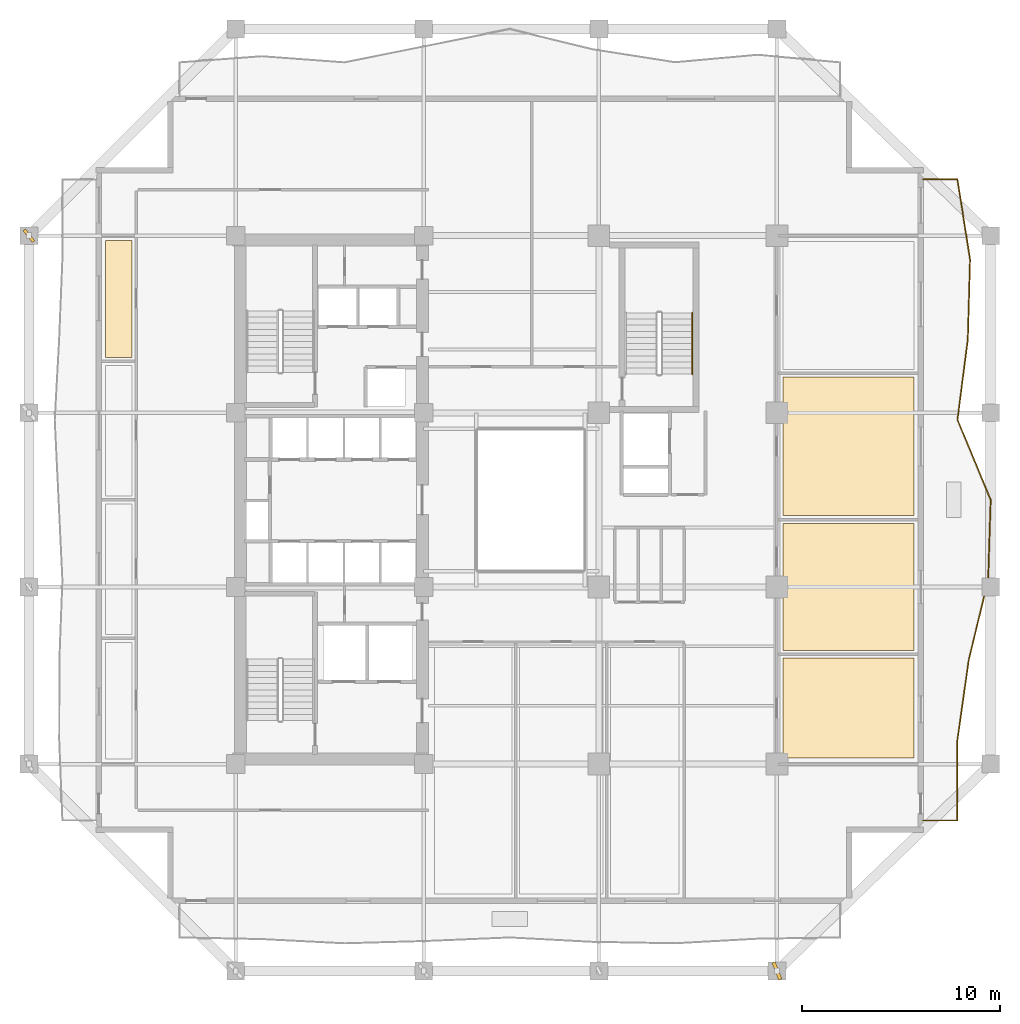
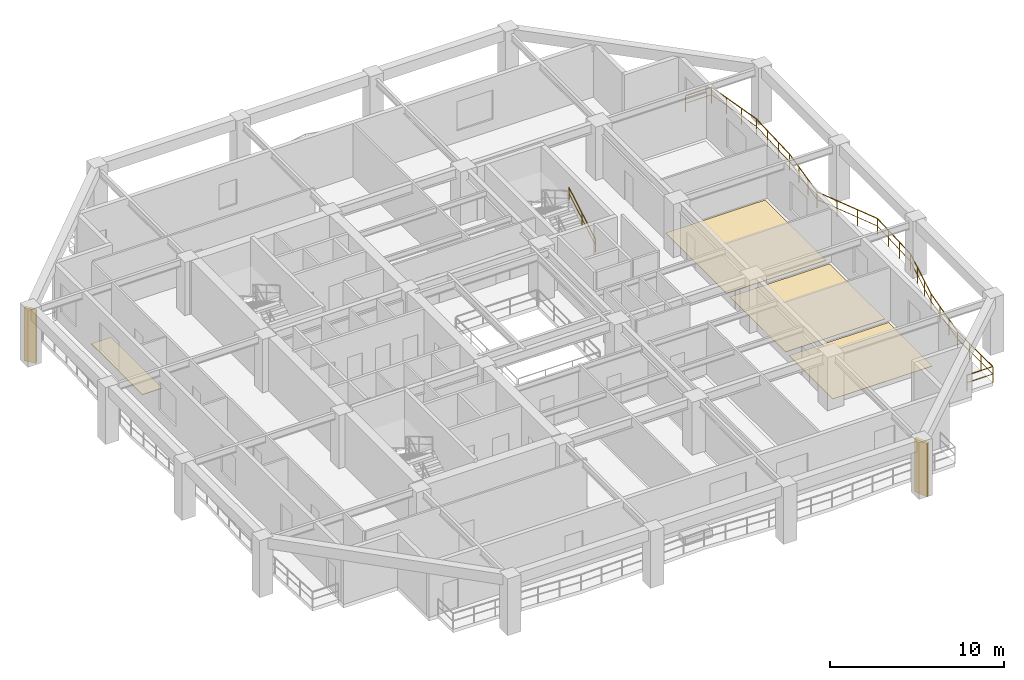
# One storey, part 9 of 11: 4 coverings, 2 railings, 2 shading devices.
"""IFC4 building model written with IfcOpenShell, lengths in metres."""

import ifcopenshell
import ifcopenshell.guid

model = None  # the IFC model being written
_history = None  # IfcOwnerHistory: only IFC2X3 demands one
_inside = {}  # id of a spatial element -> (the spatial element, [elements in it])
_under = {}  # id of a project, library or spatial element -> (it, [spatial elements below it])
_declared = {}  # id of a project -> (the project, [libraries it declares])
_typed = {}  # id of a type object -> (the type object, [elements of that type])
_made_of = {}  # id of a material, layer set ... -> (it, [elements and type objects made of it])


def new_model(schema):
    """Start an empty IFC model of exactly this schema.

    Asked for "IFC4X3", IfcOpenShell would pick the latest addendum, in which some entities
    have other attributes; the version numbers below select the first issue.
    IFC2X3 requires an IfcOwnerHistory on every rooted entity: one is made here for all.
    """
    global model, _history
    if schema == "IFC4X3":
        model = ifcopenshell.file(schema_version=(4, 3, 0, 0))
    else:
        model = ifcopenshell.file(schema=schema)
    _inside.clear()
    _under.clear()
    _declared.clear()
    _typed.clear()
    _made_of.clear()
    _history = None
    if model.schema == "IFC2X3":
        org = make("IfcOrganization", Name="unknown")
        user = make(
            "IfcPersonAndOrganization",
            ThePerson=make("IfcPerson", FamilyName="unknown"),
            TheOrganization=org,
        )
        app = make(
            "IfcApplication",
            ApplicationDeveloper=org,
            Version="unknown",
            ApplicationFullName="unknown",
            ApplicationIdentifier="unknown",
        )
        _history = make(
            "IfcOwnerHistory",
            OwningUser=user,
            OwningApplication=app,
            ChangeAction="ADDED",
            CreationDate=0,
        )
    return model


def make(cls, **values):
    """One entity of the class cls with the attributes given. An attribute that is None is left unset."""
    return model.create_entity(
        cls, **{name: value for name, value in values.items() if value is not None}
    )


def rooted(cls, **values):
    """An entity with a GlobalId (a new one), such as an element, a storey or a relation."""
    return make(cls, GlobalId=ifcopenshell.guid.new(), OwnerHistory=_history, **values)


def si_unit(unit_type, name, prefix=None):
    """IfcSIUnit, for example si_unit("LENGTHUNIT", "METRE", prefix="MILLI")."""
    return make("IfcSIUnit", UnitType=unit_type, Prefix=prefix, Name=name)


def assignment(units):
    """IfcUnitAssignment: the units of a project."""
    return None if units is None else make("IfcUnitAssignment", Units=units)


def point(xyz):
    """IfcCartesianPoint."""
    return None if xyz is None else make("IfcCartesianPoint", Coordinates=xyz)


def direction(xyz):
    """IfcDirection."""
    return None if xyz is None else make("IfcDirection", DirectionRatios=xyz)


def frame(location, z_axis=None, x_axis=None):
    """IfcAxis2Placement3D, a coordinate frame: its origin and axes. An axis left out is left unset."""
    return make(
        "IfcAxis2Placement3D",
        Location=point(location),
        Axis=direction(z_axis),
        RefDirection=direction(x_axis),
    )


def frame_2d(location, x_axis=None):
    """IfcAxis2Placement2D, a coordinate frame in the plane: its origin and x axis."""
    return make(
        "IfcAxis2Placement2D", Location=point(location), RefDirection=direction(x_axis)
    )


def origin():
    """The frame at (0, 0, 0) with its axes left unset."""
    return frame((0.0, 0.0, 0.0))


def origin_2d():
    """The frame at (0, 0) in the plane with its x axis left unset."""
    return frame_2d((0.0, 0.0))


def place(relative_to, where):
    """IfcLocalPlacement: puts the frame where relative to a parent placement (None: the world)."""
    return make(
        "IfcLocalPlacement", PlacementRelTo=relative_to, RelativePlacement=where
    )


def context(
    kind, dimensions, precision=None, world=None, true_north=None, identifier=None
):
    """IfcGeometricRepresentationContext, for example the 3D "Model" context."""
    return make(
        "IfcGeometricRepresentationContext",
        ContextIdentifier=identifier,
        ContextType=kind,
        CoordinateSpaceDimension=dimensions,
        Precision=precision,
        WorldCoordinateSystem=world,
        TrueNorth=true_north,
    )


def subcontext(parent, identifier, kind, view, scale=None):
    """IfcGeometricRepresentationSubContext, for example "Body" below "Model"."""
    return make(
        "IfcGeometricRepresentationSubContext",
        ContextIdentifier=identifier,
        ContextType=kind,
        ParentContext=parent,
        TargetScale=scale,
        TargetView=view,
    )


def project(units=None, contexts=None):
    """IfcProject with its units and contexts."""
    return rooted(
        "IfcProject",
        Name="project",
        RepresentationContexts=contexts,
        UnitsInContext=assignment(units),
    )


def spatial(cls, under=None, at=None, **own):
    """A site, building, storey or space (cls), placed at a placement, below another one or the project."""
    s = rooted(cls, ObjectPlacement=at, **own)
    if under is not None:
        _under.setdefault(under.id(), (under, []))[1].append(s)
    return s


def polyline(points):
    """IfcPolyline through the points."""
    return make("IfcPolyline", Points=[point(p) for p in points])


def profile(cls, at=None, kind="AREA", **sizes):
    """A parametric profile (cls). Its sizes go by their IFC names, for example OverallWidth=200.0."""
    return make(cls, ProfileType=kind, Position=at, **sizes)


def rectangle(**sizes):
    """IfcRectangleProfileDef."""
    return profile("IfcRectangleProfileDef", **sizes)


def outline(outer, holes=None, kind="AREA"):
    """IfcArbitraryClosedProfileDef: a profile drawn as a closed curve; with holes, ...WithVoids."""
    if holes is None:
        return make("IfcArbitraryClosedProfileDef", ProfileType=kind, OuterCurve=outer)
    return make(
        "IfcArbitraryProfileDefWithVoids",
        ProfileType=kind,
        OuterCurve=outer,
        InnerCurves=holes,
    )


def extrude(swept, where, along, depth):
    """IfcExtrudedAreaSolid: the profile swept, set in the frame where, extruded along a direction by depth."""
    return make(
        "IfcExtrudedAreaSolid",
        SweptArea=swept,
        Position=where,
        ExtrudedDirection=direction(along),
        Depth=depth,
    )


def shape(context_of_items, identifier, shape_type, items):
    """IfcShapeRepresentation: the items that make up one representation, for example the "Body"."""
    return make(
        "IfcShapeRepresentation",
        ContextOfItems=context_of_items,
        RepresentationIdentifier=identifier,
        RepresentationType=shape_type,
        Items=items,
    )


def material(Name=None, Category=None):
    """IfcMaterial."""
    return make("IfcMaterial", Name=Name, Category=Category)


def layer(
    of_material, thickness, ventilated=None, Name=None, Category=None, Priority=None
):
    """IfcMaterialLayer: one layer of a wall or slab, of a material (None: an air gap)."""
    return make(
        "IfcMaterialLayer",
        Material=of_material,
        LayerThickness=thickness,
        IsVentilated=ventilated,
        Name=Name,
        Category=Category,
        Priority=Priority,
    )


def layer_set(layers, Name=None):
    """IfcMaterialLayerSet."""
    return make("IfcMaterialLayerSet", MaterialLayers=layers, LayerSetName=Name)


def made_of(thing, what):
    """Note that an element or type object is made of a material, layer set ...; save() writes the relation."""
    if what is not None:
        _made_of.setdefault(what.id(), (what, []))[1].append(thing)
    return thing


def type_object(cls, material=None, **own):
    """A type object (cls), such as IfcWallType, which elements share."""
    return made_of(rooted(cls, **own), material)


def element(
    cls,
    number,
    at=None,
    inside=None,
    cuts=None,
    type_object=None,
    material=None,
    context=None,
    identifier="Body",
    shape_type=None,
    held_by="IfcProductDefinitionShape",
    body=None,
    shapes=None,
    **own,
):
    """One element of the class cls, such as IfcWall. Its Tag is "e" and its number.

    at: its placement. inside: the storey or other place that contains it. cuts: it is an
    opening in that element (IfcRelVoidsElement). A single representation is given by context,
    identifier, shape_type and body (its items); several are given by shapes. held_by: the class
    of the entity that holds the representations. save() writes the other relations.
    """
    e = rooted(cls, Tag="e%d" % number, ObjectPlacement=at, **own)
    if body is not None:
        shapes = [shape(context, identifier, shape_type, body)]
    if shapes is not None:
        e.Representation = make(held_by, Representations=shapes)
    if inside is not None:
        _inside.setdefault(inside.id(), (inside, []))[1].append(e)
    if cuts is not None:
        rooted(
            "IfcRelVoidsElement", RelatingBuildingElement=cuts, RelatedOpeningElement=e
        )
    if type_object is not None:
        _typed.setdefault(type_object.id(), (type_object, []))[1].append(e)
    return made_of(e, material)


def aggregate(whole, parts):
    """IfcRelAggregates: a whole, such as a stair, and the parts it consists of."""
    return rooted("IfcRelAggregates", RelatingObject=whole, RelatedObjects=parts)


def save(model, path):
    """Write the relations noted so far, then the file.

    IfcRelAggregates (storeys below a building ...), IfcRelContainedInSpatialStructure (elements
    in a storey), IfcRelDefinesByType, IfcRelAssociatesMaterial and IfcRelDeclares: one each for
    every whole, place, type object, material and project.
    """
    for whole, parts in _under.values():
        aggregate(whole, parts)
    for where, things in _inside.values():
        rooted(
            "IfcRelContainedInSpatialStructure",
            RelatedElements=things,
            RelatingStructure=where,
        )
    for kind, things in _typed.values():
        rooted("IfcRelDefinesByType", RelatedObjects=things, RelatingType=kind)
    for what, things in _made_of.values():
        rooted("IfcRelAssociatesMaterial", RelatedObjects=things, RelatingMaterial=what)
    for by, libraries in _declared.values():
        rooted("IfcRelDeclares", RelatingContext=by, RelatedDefinitions=libraries)
    model.write(path)


model = new_model("IFC4")

# Units and contexts
model_context = context("Model", 3, precision=1e-05, world=origin(), true_north=direction((0.0, 1.0)))
body_context = subcontext(model_context, "Body", "Model", "MODEL_VIEW")
ifc_project = project(units=[si_unit("LENGTHUNIT", "METRE"), si_unit("AREAUNIT", "SQUARE_METRE"), si_unit("VOLUMEUNIT", "CUBIC_METRE"), si_unit("PLANEANGLEUNIT", "RADIAN"), si_unit("MASSUNIT", "GRAM", prefix="KILO")], contexts=[model_context])

# Site, building, storey
site_placement = place(None, origin())
site = spatial("IfcSite", under=ifc_project, at=site_placement, CompositionType="ELEMENT")
building_placement = place(site_placement, origin())
building = spatial("IfcBuilding", under=site, at=building_placement, Name="Kundavana Baori Tower", CompositionType="ELEMENT")
storey_placement = place(building_placement, frame((0.0, 0.0, 86.0)))
storey = spatial("IfcBuildingStorey", under=building, at=storey_placement, Name="L20", CompositionType="ELEMENT", Elevation=86.0)

# Coverings
ifc_material_1 = material(Name="Honed Kota Stone and Terrazzo Flooring", Category="masonry")
ifc_layer_1 = layer(ifc_material_1, 0.0400390625, Name="COV-FLR-TERR-40")
ifc_layer_set_1 = layer_set([ifc_layer_1], Name="Honed Kota Stone and Terrazzo Flooring")
covering_type_1 = type_object("IfcCoveringType", Name="COV-FLR-TERR-40", PredefinedType="FLOORING", material=ifc_layer_set_1)
covering_1_placement = place(storey_placement, origin())
element("IfcCovering", 1, at=covering_1_placement, inside=storey, type_object=covering_type_1, Name="L20 Room Finished Stone Flooring 4", PredefinedType="FLOORING", context=body_context, shape_type="SweptSolid", body=[
    extrude(outline(polyline([(8.8798828125, 35.800048828125), (10.199951171875, 35.800048828125), (10.199951171875, 41.699951171875), (8.8798828125, 41.699951171875), (8.8798828125, 35.800048828125)])), origin(), (0.0, 0.0, 1.0), 0.0400390625),
])
ifc_material_2 = material(Name="Honed Kota Stone and Terrazzo Flooring", Category="masonry")
ifc_layer_2 = layer(ifc_material_2, 0.030029296875, Name="COV-INT-FLR")
ifc_layer_set_2 = layer_set([ifc_layer_2], Name="Honed Kota Stone and Terrazzo Flooring")
covering_type_2 = type_object("IfcCoveringType", Name="COV-INT-FLR", PredefinedType="FLOORING", material=ifc_layer_set_2)
covering_2_placement = place(storey_placement, origin())
element("IfcCovering", 2, at=covering_2_placement, inside=storey, type_object=covering_type_2, Name="L20 Room Finished Stone Flooring 8", PredefinedType="FLOORING", context=body_context, shape_type="SweptSolid", body=[
    extrude(outline(polyline([(43.10009765625, 15.550048828125), (49.719970703125, 15.550048828125), (49.719970703125, 20.60009765625), (43.10009765625, 20.60009765625), (43.10009765625, 15.550048828125)])), origin(), (0.0, 0.0, 1.0), 0.030029296875),
])
covering_3_placement = place(storey_placement, origin())
element("IfcCovering", 3, at=covering_3_placement, inside=storey, type_object=covering_type_2, Name="L20 Room Finished Stone Flooring 9", PredefinedType="FLOORING", context=body_context, shape_type="SweptSolid", body=[
    extrude(outline(polyline([(43.10009765625, 21.0), (49.719970703125, 21.0), (49.719970703125, 27.39990234375), (43.10009765625, 27.39990234375), (43.10009765625, 21.0)])), origin(), (0.0, 0.0, 1.0), 0.030029296875),
])
covering_4_placement = place(storey_placement, origin())
element("IfcCovering", 4, at=covering_4_placement, inside=storey, type_object=covering_type_2, Name="L20 Room Finished Stone Flooring 10", PredefinedType="FLOORING", context=body_context, shape_type="SweptSolid", body=[
    extrude(outline(polyline([(43.10009765625, 27.800048828125), (49.719970703125, 27.800048828125), (49.719970703125, 34.800048828125), (43.10009765625, 34.800048828125), (43.10009765625, 27.800048828125)])), origin(), (0.0, 0.0, 1.0), 0.030029296875),
])

# Railings
ifc_material_3 = material(Name="Architectural Patinated Bronze Metalwork")
railing_type_1 = type_object("IfcRailingType", Name="RL-BAL-1150", PredefinedType="BALUSTRADE", material=ifc_material_3)
railing_1_placement = place(storey_placement, frame((50.199951171875, 44.800048828125, 0.0)))
element("IfcRailing", 5, at=railing_1_placement, inside=storey, type_object=railing_type_1, Name="L20 Loggia Balcony Balustrade E", PredefinedType="BALUSTRADE", context=body_context, shape_type="SweptSolid", body=[
    extrude(rectangle(XDim=0.048095703125, YDim=0.048095703125, at=origin_2d()), frame((0.0, 0.0, 1.1259765625), z_axis=(1.0, 0.0, 0.0), x_axis=(0.0, 1.0, 0.0)), (0.0, 0.0, 1.0), 1.719970703125),
    extrude(rectangle(XDim=0.03125, YDim=0.03125, at=origin_2d()), frame((0.0, 0.0, 0.597900390625), z_axis=(1.0, 0.0, 0.0), x_axis=(0.0, 1.0, 0.0)), (0.0, 0.0, 1.0), 1.719970703125),
    extrude(rectangle(XDim=0.048095703125, YDim=0.048095703125, at=origin_2d()), frame((1.719970703125, 0.0, 1.1259765625), z_axis=(0.156118506583, -0.987738331696, 0.0), x_axis=(0.987738331696, 0.156118506583, 0.0)), (0.0, 0.0, 1.0), 4.100341796875),
    extrude(rectangle(XDim=0.03125, YDim=0.03125, at=origin_2d()), frame((1.719970703125, 0.0, 0.597900390625), z_axis=(0.156118506583, -0.987738331696, 0.0), x_axis=(0.987738331696, 0.156118506583, 0.0)), (0.0, 0.0, 1.0), 4.100341796875),
    extrude(rectangle(XDim=0.048095703125, YDim=0.048095703125, at=origin_2d()), frame((2.360107421875, -4.050048828125, 1.1259765625), z_axis=(-0.028140036391, -0.999603990764, 0.0), x_axis=(0.999603990764, -0.028140036391, 0.0)), (0.0, 0.0, 1.0), 4.0517578125),
    extrude(rectangle(XDim=0.03125, YDim=0.03125, at=origin_2d()), frame((2.360107421875, -4.050048828125, 0.597900390625), z_axis=(-0.028140036391, -0.999603990764, 0.0), x_axis=(0.999603990764, -0.028140036391, 0.0)), (0.0, 0.0, 1.0), 4.0517578125),
    extrude(rectangle(XDim=0.048095703125, YDim=0.048095703125, at=origin_2d()), frame((2.24609375, -8.10009765625, 1.1259765625), z_axis=(-0.127823369402, -0.991796948087, 0.0), x_axis=(0.991796948087, -0.127823369402, 0.0)), (0.0, 0.0, 1.0), 4.08349609375),
    extrude(rectangle(XDim=0.03125, YDim=0.03125, at=origin_2d()), frame((2.24609375, -8.10009765625, 0.597900390625), z_axis=(-0.127823369402, -0.991796948087, 0.0), x_axis=(0.991796948087, -0.127823369402, 0.0)), (0.0, 0.0, 1.0), 4.08349609375),
    extrude(rectangle(XDim=0.048095703125, YDim=0.048095703125, at=origin_2d()), frame((1.72412109375, -12.150146484375, 1.1259765625), z_axis=(0.38239935162, -0.923997151446, 0.0), x_axis=(0.923997151446, 0.38239935162, 0.0)), (0.0, 0.0, 1.0), 4.3828125),
    extrude(rectangle(XDim=0.03125, YDim=0.03125, at=origin_2d()), frame((1.72412109375, -12.150146484375, 0.597900390625), z_axis=(0.38239935162, -0.923997151446, 0.0), x_axis=(0.923997151446, 0.38239935162, 0.0)), (0.0, 0.0, 1.0), 4.3828125),
    extrude(rectangle(XDim=0.048095703125, YDim=0.048095703125, at=origin_2d()), frame((3.400146484375, -16.199951171875, 1.1259765625), z_axis=(-0.031872399749, -0.999491946008, 0.0), x_axis=(0.999491946008, -0.031872399749, 0.0)), (0.0, 0.0, 1.0), 4.052001953125),
    extrude(rectangle(XDim=0.03125, YDim=0.03125, at=origin_2d()), frame((3.400146484375, -16.199951171875, 0.597900390625), z_axis=(-0.031872399749, -0.999491946008, 0.0), x_axis=(0.999491946008, -0.031872399749, 0.0)), (0.0, 0.0, 1.0), 4.052001953125),
    extrude(rectangle(XDim=0.048095703125, YDim=0.048095703125, at=origin_2d()), frame((3.27099609375, -20.25, 1.1259765625), z_axis=(-0.235180776848, -0.97195164602, 0.0), x_axis=(0.97195164602, -0.235180776848, 0.0)), (0.0, 0.0, 1.0), 4.1669921875),
    extrude(rectangle(XDim=0.03125, YDim=0.03125, at=origin_2d()), frame((3.27099609375, -20.25, 0.597900390625), z_axis=(-0.235180776848, -0.97195164602, 0.0), x_axis=(0.97195164602, -0.235180776848, 0.0)), (0.0, 0.0, 1.0), 4.1669921875),
    extrude(rectangle(XDim=0.048095703125, YDim=0.048095703125, at=origin_2d()), frame((2.291015625, -24.300048828125, 1.1259765625), z_axis=(-0.139616080416, -0.990205710996, 0.0), x_axis=(0.990205710996, -0.139616080416, 0.0)), (0.0, 0.0, 1.0), 4.090087890625),
    extrude(rectangle(XDim=0.03125, YDim=0.03125, at=origin_2d()), frame((2.291015625, -24.300048828125, 0.597900390625), z_axis=(-0.139616080416, -0.990205710996, 0.0), x_axis=(0.990205710996, -0.139616080416, 0.0)), (0.0, 0.0, 1.0), 4.090087890625),
    extrude(rectangle(XDim=0.048095703125, YDim=0.048095703125, at=origin_2d()), frame((1.719970703125, -28.35009765625, 1.1259765625), z_axis=(0.0, -1.0, 0.0), x_axis=(1.0, 0.0, 0.0)), (0.0, 0.0, 1.0), 4.050048828125),
    extrude(rectangle(XDim=0.03125, YDim=0.03125, at=origin_2d()), frame((1.719970703125, -28.35009765625, 0.597900390625), z_axis=(0.0, -1.0, 0.0), x_axis=(1.0, 0.0, 0.0)), (0.0, 0.0, 1.0), 4.050048828125),
    extrude(rectangle(XDim=0.048095703125, YDim=0.048095703125, at=origin_2d()), frame((1.719970703125, -32.400146484375, 1.1259765625), z_axis=(-1.0, 0.0, 0.0), x_axis=(0.0, -1.0, 0.0)), (0.0, 0.0, 1.0), 1.719970703125),
    extrude(rectangle(XDim=0.03125, YDim=0.03125, at=origin_2d()), frame((1.719970703125, -32.400146484375, 0.597900390625), z_axis=(-1.0, 0.0, 0.0), x_axis=(0.0, -1.0, 0.0)), (0.0, 0.0, 1.0), 1.719970703125),
    extrude(rectangle(XDim=0.0419921875, YDim=0.0419921875, at=origin_2d()), origin(), (0.0, 0.0, 1.0), 1.101806640625),
    extrude(rectangle(XDim=0.0419921875, YDim=0.0419921875, at=origin_2d()), frame((1.719970703125, 0.0, 0.0)), (0.0, 0.0, 1.0), 1.101806640625),
    extrude(rectangle(XDim=0.0419921875, YDim=0.0419921875, at=origin_2d()), frame((1.933349609375, -1.35009765625, 0.0)), (0.0, 0.0, 1.0), 1.101806640625),
    extrude(rectangle(XDim=0.0419921875, YDim=0.0419921875, at=origin_2d()), frame((2.146728515625, -2.699951171875, 0.0)), (0.0, 0.0, 1.0), 1.101806640625),
    extrude(rectangle(XDim=0.0419921875, YDim=0.0419921875, at=origin_2d()), frame((2.360107421875, -4.050048828125, 0.0)), (0.0, 0.0, 1.0), 1.101806640625),
    extrude(rectangle(XDim=0.0419921875, YDim=0.0419921875, at=origin_2d()), frame((2.322021484375, -5.400146484375, 0.0)), (0.0, 0.0, 1.0), 1.101806640625),
    extrude(rectangle(XDim=0.0419921875, YDim=0.0419921875, at=origin_2d()), frame((2.2841796875, -6.75, 0.0)), (0.0, 0.0, 1.0), 1.101806640625),
    extrude(rectangle(XDim=0.0419921875, YDim=0.0419921875, at=origin_2d()), frame((2.24609375, -8.10009765625, 0.0)), (0.0, 0.0, 1.0), 1.101806640625),
    extrude(rectangle(XDim=0.0419921875, YDim=0.0419921875, at=origin_2d()), frame((2.072021484375, -9.4501953125, 0.0)), (0.0, 0.0, 1.0), 1.101806640625),
    extrude(rectangle(XDim=0.0419921875, YDim=0.0419921875, at=origin_2d()), frame((1.898193359375, -10.800048828125, 0.0)), (0.0, 0.0, 1.0), 1.101806640625),
    extrude(rectangle(XDim=0.0419921875, YDim=0.0419921875, at=origin_2d()), frame((1.72412109375, -12.150146484375, 0.0)), (0.0, 0.0, 1.0), 1.101806640625),
    extrude(rectangle(XDim=0.0419921875, YDim=0.0419921875, at=origin_2d()), frame((2.28271484375, -13.5, 0.0)), (0.0, 0.0, 1.0), 1.101806640625),
    extrude(rectangle(XDim=0.0419921875, YDim=0.0419921875, at=origin_2d()), frame((2.841552734375, -14.85009765625, 0.0)), (0.0, 0.0, 1.0), 1.101806640625),
    extrude(rectangle(XDim=0.0419921875, YDim=0.0419921875, at=origin_2d()), frame((3.400146484375, -16.199951171875, 0.0)), (0.0, 0.0, 1.0), 1.101806640625),
    extrude(rectangle(XDim=0.0419921875, YDim=0.0419921875, at=origin_2d()), frame((3.357177734375, -17.550048828125, 0.0)), (0.0, 0.0, 1.0), 1.101806640625),
    extrude(rectangle(XDim=0.0419921875, YDim=0.0419921875, at=origin_2d()), frame((3.31396484375, -18.89990234375, 0.0)), (0.0, 0.0, 1.0), 1.101806640625),
    extrude(rectangle(XDim=0.0419921875, YDim=0.0419921875, at=origin_2d()), frame((3.27099609375, -20.25, 0.0)), (0.0, 0.0, 1.0), 1.101806640625),
    extrude(rectangle(XDim=0.0419921875, YDim=0.0419921875, at=origin_2d()), frame((2.9443359375, -21.60009765625, 0.0)), (0.0, 0.0, 1.0), 1.101806640625),
    extrude(rectangle(XDim=0.0419921875, YDim=0.0419921875, at=origin_2d()), frame((2.61767578125, -22.949951171875, 0.0)), (0.0, 0.0, 1.0), 1.101806640625),
    extrude(rectangle(XDim=0.0419921875, YDim=0.0419921875, at=origin_2d()), frame((2.291015625, -24.300048828125, 0.0)), (0.0, 0.0, 1.0), 1.101806640625),
    extrude(rectangle(XDim=0.0419921875, YDim=0.0419921875, at=origin_2d()), frame((2.1005859375, -25.650146484375, 0.0)), (0.0, 0.0, 1.0), 1.101806640625),
    extrude(rectangle(XDim=0.0419921875, YDim=0.0419921875, at=origin_2d()), frame((1.910400390625, -27.0, 0.0)), (0.0, 0.0, 1.0), 1.101806640625),
    extrude(rectangle(XDim=0.0419921875, YDim=0.0419921875, at=origin_2d()), frame((1.719970703125, -28.35009765625, 0.0)), (0.0, 0.0, 1.0), 1.101806640625),
    extrude(rectangle(XDim=0.0419921875, YDim=0.0419921875, at=origin_2d()), frame((1.719970703125, -29.7001953125, 0.0)), (0.0, 0.0, 1.0), 1.101806640625),
    extrude(rectangle(XDim=0.0419921875, YDim=0.0419921875, at=origin_2d()), frame((1.719970703125, -31.050048828125, 0.0)), (0.0, 0.0, 1.0), 1.101806640625),
    extrude(rectangle(XDim=0.0419921875, YDim=0.0419921875, at=origin_2d()), frame((1.719970703125, -32.400146484375, 0.0)), (0.0, 0.0, 1.0), 1.101806640625),
    extrude(rectangle(XDim=0.0419921875, YDim=0.0419921875, at=origin_2d()), frame((0.0, -32.400146484375, 0.0)), (0.0, 0.0, 1.0), 1.101806640625),
])
ifc_material_4 = material(Name="Architectural Patinated Bronze Metalwork")
railing_type_2 = type_object("IfcRailingType", Name="RL-HND-920", PredefinedType="HANDRAIL", material=ifc_material_4)
railing_2_placement = place(storey_placement, frame((38.530029296875, 34.949951171875, 0.181884765625)))
element("IfcRailing", 6, at=railing_2_placement, inside=storey, type_object=railing_type_2, Name="L20 ST3 stair handrail 1", PredefinedType="HANDRAIL", context=body_context, shape_type="SweptSolid", body=[
    extrude(rectangle(XDim=0.048095703125, YDim=0.048095703125, at=origin_2d()), frame((0.0, 0.0, 0.8759765625), z_axis=(0.0, 0.862598821094, 0.505888598258), x_axis=(-1.0, 0.0, 0.0)), (0.0, 0.0, 1.0), 3.593994140625),
    extrude(rectangle(XDim=0.03125, YDim=0.03125, at=origin_2d()), frame((0.0, 0.0, 0.468017578125), z_axis=(0.0, 0.862598821094, 0.505888598258), x_axis=(-1.0, 0.0, 0.0)), (0.0, 0.0, 1.0), 3.593994140625),
    extrude(rectangle(XDim=0.0419921875, YDim=0.0419921875, at=origin_2d()), origin(), (0.0, 0.0, 1.0), 0.851806640625),
    extrude(rectangle(XDim=0.0419921875, YDim=0.0419921875, at=origin_2d()), frame((0.0, 1.550048828125, 0.9091796875)), (0.0, 0.0, 1.0), 0.851806640625),
    extrude(rectangle(XDim=0.0419921875, YDim=0.0419921875, at=origin_2d()), frame((0.0, 3.10009765625, 1.818115234375)), (0.0, 0.0, 1.0), 0.851806640625),
])

# Shading devices
ifc_material_5 = material(Name="Red-Buff Dholpur Sandstone Cladding on Concrete C40/50", Category="masonry")
shading_device_type_1 = type_object("IfcShadingDeviceType", Name="SHD-FIN-750", PredefinedType="JALOUSIE", material=ifc_material_5)
shading_device_1_placement = place(storey_placement, frame((5.0, 41.949951171875, 0.0), z_axis=(0.0, 0.0, 1.0), x_axis=(0.782608156852, 0.622514636638, 0.0)))
element("IfcShadingDevice", 7, at=shading_device_1_placement, inside=storey, type_object=shading_device_type_1, Name="L20 Sweeping Dholpur Sandstone Facade Fin 8", PredefinedType="JALOUSIE", context=body_context, shape_type="SweptSolid", body=[
    extrude(rectangle(XDim=0.159912109375, YDim=0.75, at=origin_2d()), origin(), (0.0, 0.0, 1.0), 3.739990234375),
])
ifc_material_6 = material(Name="Red-Buff Dholpur Sandstone Cladding on Concrete C40/50", Category="masonry")
shading_device_type_2 = type_object("IfcShadingDeviceType", Name="SHD-FIN-920", PredefinedType="JALOUSIE", material=ifc_material_6)
shading_device_2_placement = place(storey_placement, frame((42.800048828125, 4.800048828125, 0.0), z_axis=(0.0, 0.0, 1.0), x_axis=(0.927183854567, 0.374606593416, 0.0)))
element("IfcShadingDevice", 8, at=shading_device_2_placement, inside=storey, type_object=shading_device_type_2, Name="L20 Sweeping Dholpur Sandstone Facade Fin 4", PredefinedType="JALOUSIE", context=body_context, shape_type="SweptSolid", body=[
    extrude(rectangle(XDim=0.179931640625, YDim=0.919921875, at=origin_2d()), origin(), (0.0, 0.0, 1.0), 3.739990234375),
])

save(model, "model.ifc")
